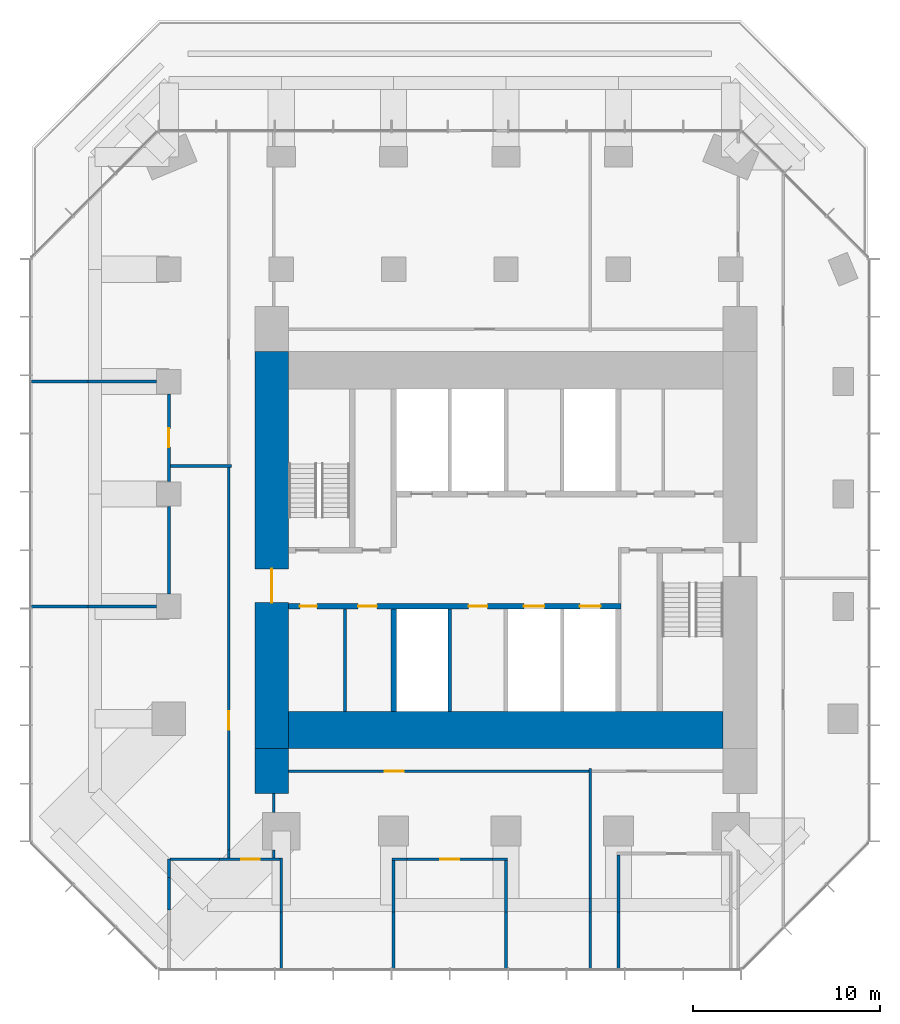
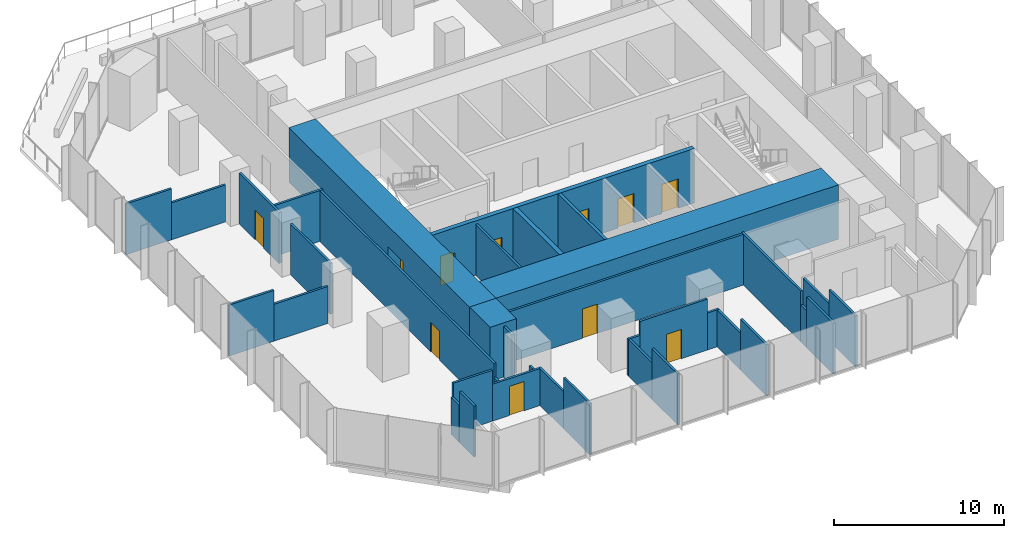
# One storey, part 8 of 11: 37 walls, 11 doors, 11 openings.
"""IFC4 building model written with IfcOpenShell, lengths in metres."""

from ifc_helpers import new_model, si_unit, direction, frame, frame_2d, origin, place, context, subcontext, project, spatial, rectangle, extrude, material, layer, layer_set, type_object, element, fill, save


model = new_model("IFC4")

# Units and contexts
model_context = context("Model", 3, precision=1e-05, world=origin(), true_north=direction((0.0, 1.0)))
body_context = subcontext(model_context, "Body", "Model", "MODEL_VIEW")
ifc_project = project(units=[si_unit("LENGTHUNIT", "METRE"), si_unit("AREAUNIT", "SQUARE_METRE"), si_unit("VOLUMEUNIT", "CUBIC_METRE"), si_unit("PLANEANGLEUNIT", "RADIAN"), si_unit("MASSUNIT", "GRAM", prefix="KILO")], contexts=[model_context])

# Site, building, storey
site_placement = place(None, origin())
site = spatial("IfcSite", under=ifc_project, at=site_placement, CompositionType="ELEMENT")
building_placement = place(site_placement, origin())
building = spatial("IfcBuilding", under=site, at=building_placement, Name="Highveld Stack Headquarters", CompositionType="ELEMENT")
storey_placement = place(building_placement, frame((0.0, 0.0, 212.300048828125)))
storey = spatial("IfcBuildingStorey", under=building, at=storey_placement, Name="L52", CompositionType="ELEMENT", Elevation=212.300048828125)

# Wall, opening, door
ifc_material_1 = material(Name="Concrete C60/75", Category="concrete")
ifc_layer_1 = layer(ifc_material_1, 1.800048828125)
ifc_layer_set_1 = layer_set([ifc_layer_1], Name="Concrete C60/75")
wall_type_1 = type_object("IfcWallType", Name="CORE WALL 1800 C60/75", PredefinedType="SHEAR", material=ifc_layer_set_1)
wall_1_placement = place(storey_placement, frame((-6.5, -7.60009765625, 0.0), z_axis=(0.0, 0.0, 1.0), x_axis=(0.0, 1.0, 0.0)))
wall_1 = element("IfcWall", 1, at=wall_1_placement, inside=storey, type_object=wall_type_1, Name="Core wall W L52", PredefinedType="SHEAR", context=body_context, shape_type="SweptSolid", body=[
    extrude(rectangle(XDim=21.2001953125, YDim=1.800048828125, at=frame_2d((10.60009765625, 0.0))), origin(), (0.0, 0.0, 1.0), 3.89990234375),
])
opening_1_placement = place(wall_1_placement, frame((7.800048828125, 0.0, 0.0)))
opening_1 = element("IfcOpeningElement", 2, at=opening_1_placement, cuts=wall_1, Name="Opening L52-02", PredefinedType="OPENING", context=body_context, shape_type="SweptSolid", body=[
    extrude(rectangle(XDim=1.800048828125, YDim=2.39990234375, at=frame_2d((0.89990234375, 1.199951171875))), frame((0.0, 0.909912109375, 0.0), z_axis=(0.0, -1.0, 0.0), x_axis=(1.0, 0.0, 0.0)), (0.0, 0.0, 1.0), 1.820068359375),
])
ifc_material_2 = material(Name="Steel fire door", Category="steel")
door_type_1 = type_object("IfcDoorType", Name="LOBBY FIRE DOOR D4 1800x2400", OperationType="DOUBLE_DOOR_SINGLE_SWING", PredefinedType="DOOR", material=ifc_material_2)
door_1_placement = place(opening_1_placement, origin())
door_1 = element("IfcDoor", 3, at=door_1_placement, inside=storey, type_object=door_type_1, Name="Core west door L52", OperationType="DOUBLE_DOOR_SINGLE_SWING", OverallHeight=2.39990234375, OverallWidth=1.800048828125, PredefinedType="DOOR", context=body_context, shape_type="SweptSolid", body=[
    extrude(rectangle(XDim=1.800048828125, YDim=2.39990234375, at=frame_2d((0.89990234375, 1.199951171875))), frame((0.0, 0.02490234375, 0.0), z_axis=(0.0, -1.0, 0.0), x_axis=(1.0, 0.0, 0.0)), (0.0, 0.0, 1.0), 0.050048828125),
])
fill(opening_1, door_1)

# Wall
ifc_material_3 = material(Name="Concrete C60/75", Category="concrete")
ifc_layer_2 = layer(ifc_material_3, 2.0)
ifc_layer_set_2 = layer_set([ifc_layer_2], Name="Concrete C60/75")
wall_type_2 = type_object("IfcWallType", Name="CORE WALL 2000 C60/75", PredefinedType="SHEAR", material=ifc_layer_set_2)
wall_2_placement = place(storey_placement, frame((-5.60009765625, -6.60009765625, 0.0), z_axis=(0.0, 0.0, 1.0), x_axis=(1.0, 0.0, 0.0)))
element("IfcWall", 4, at=wall_2_placement, inside=storey, type_object=wall_type_2, Name="Core wall S L52", PredefinedType="SHEAR", context=body_context, shape_type="SweptSolid", body=[
    extrude(rectangle(XDim=23.2001953125, YDim=2.0, at=frame_2d((11.60009765625, 0.0))), origin(), (0.0, 0.0, 1.0), 3.89990234375),
])

# Wall, openings, doors
ifc_material_4 = material(Name="Concrete C60/75", Category="concrete")
ifc_layer_3 = layer(ifc_material_4, 0.300048828125)
ifc_layer_set_3 = layer_set([ifc_layer_3], Name="Concrete C60/75")
wall_type_3 = type_object("IfcWallType", Name="CORE WALL 300 C60/75", PredefinedType="SHEAR", material=ifc_layer_set_3)
wall_3_placement = place(storey_placement, frame((-5.60009765625, 0.0, 0.0), z_axis=(0.0, 0.0, 1.0), x_axis=(1.0, 0.0, 0.0)))
wall_3 = element("IfcWall", 5, at=wall_3_placement, inside=storey, type_object=wall_type_3, Name="Core wall I-Y0 L52", PredefinedType="SHEAR", context=body_context, shape_type="SweptSolid", body=[
    extrude(rectangle(XDim=17.75, YDim=0.300048828125, at=frame_2d((8.875, 0.0))), origin(), (0.0, 0.0, 1.0), 3.89990234375),
])
opening_2_placement = place(wall_3_placement, frame((0.60009765625, 0.0, 0.0)))
opening_2 = element("IfcOpeningElement", 6, at=opening_2_placement, cuts=wall_3, Name="Opening L52-08", PredefinedType="OPENING", context=body_context, shape_type="SweptSolid", body=[
    extrude(rectangle(XDim=0.89990234375, YDim=2.10009765625, at=frame_2d((0.449951171875, 1.050048828125))), frame((0.0, 0.159912109375, 0.0), z_axis=(0.0, -1.0, 0.0), x_axis=(1.0, 0.0, 0.0)), (0.0, 0.0, 1.0), 0.320068359375),
])
opening_3_placement = place(wall_3_placement, frame((3.699951171875, 0.0, 0.0)))
opening_3 = element("IfcOpeningElement", 7, at=opening_3_placement, cuts=wall_3, Name="Opening L52-09", PredefinedType="OPENING", context=body_context, shape_type="SweptSolid", body=[
    extrude(rectangle(XDim=1.0, YDim=2.10009765625, at=frame_2d((0.5, 1.050048828125))), frame((0.0, 0.159912109375, 0.0), z_axis=(0.0, -1.0, 0.0), x_axis=(1.0, 0.0, 0.0)), (0.0, 0.0, 1.0), 0.320068359375),
])
opening_4_placement = place(wall_3_placement, frame((9.60009765625, 0.0, 0.0)))
opening_4 = element("IfcOpeningElement", 8, at=opening_4_placement, cuts=wall_3, Name="Opening L52-13", PredefinedType="OPENING", context=body_context, shape_type="SweptSolid", body=[
    extrude(rectangle(XDim=1.0, YDim=2.10009765625, at=frame_2d((0.5, 1.050048828125))), frame((0.0, 0.159912109375, 0.0), z_axis=(0.0, -1.0, 0.0), x_axis=(1.0, 0.0, 0.0)), (0.0, 0.0, 1.0), 0.320068359375),
])
opening_5_placement = place(wall_3_placement, frame((12.550048828125, 0.0, 0.0)))
opening_5 = element("IfcOpeningElement", 9, at=opening_5_placement, cuts=wall_3, Name="Opening LD", PredefinedType="OPENING", context=body_context, shape_type="SweptSolid", body=[
    extrude(rectangle(XDim=1.10009765625, YDim=2.10009765625, at=frame_2d((0.550048828125, 1.050048828125))), frame((0.0, 0.159912109375, 0.0), z_axis=(0.0, -1.0, 0.0), x_axis=(1.0, 0.0, 0.0)), (0.0, 0.0, 1.0), 0.320068359375),
])
opening_6_placement = place(wall_3_placement, frame((15.550048828125, 0.0, 0.0)))
opening_6 = element("IfcOpeningElement", 10, at=opening_6_placement, cuts=wall_3, Name="Opening LD", PredefinedType="OPENING", context=body_context, shape_type="SweptSolid", body=[
    extrude(rectangle(XDim=1.10009765625, YDim=2.10009765625, at=frame_2d((0.550048828125, 1.050048828125))), frame((0.0, 0.159912109375, 0.0), z_axis=(0.0, -1.0, 0.0), x_axis=(1.0, 0.0, 0.0)), (0.0, 0.0, 1.0), 0.320068359375),
])
ifc_material_5 = material(Name="Steel fire door", Category="steel")
door_type_2 = type_object("IfcDoorType", Name="CORE ROOM FIRE DOOR D14 1000x2100", OperationType="SINGLE_SWING_LEFT", PredefinedType="DOOR", material=ifc_material_5)
door_2_placement = place(opening_3_placement, origin())
door_2 = element("IfcDoor", 11, at=door_2_placement, inside=storey, type_object=door_type_2, Name="Cleaners store door L52", OperationType="SINGLE_SWING_LEFT", OverallHeight=2.10009765625, OverallWidth=1.0, PredefinedType="DOOR", context=body_context, shape_type="SweptSolid", body=[
    extrude(rectangle(XDim=1.0, YDim=2.10009765625, at=frame_2d((0.5, 1.050048828125))), frame((0.0, 0.02490234375, 0.0), z_axis=(0.0, -1.0, 0.0), x_axis=(1.0, 0.0, 0.0)), (0.0, 0.0, 1.0), 0.050048828125),
])
fill(opening_3, door_2)
door_3_placement = place(opening_4_placement, origin())
door_3 = element("IfcDoor", 12, at=door_3_placement, inside=storey, type_object=door_type_2, Name="Capped B 1 door L52", OperationType="SINGLE_SWING_RIGHT", OverallHeight=2.10009765625, OverallWidth=1.0, PredefinedType="DOOR", context=body_context, shape_type="SweptSolid", body=[
    extrude(rectangle(XDim=1.0, YDim=2.10009765625, at=frame_2d((0.5, 1.050048828125))), frame((0.0, 0.02490234375, 0.0), z_axis=(0.0, -1.0, 0.0), x_axis=(1.0, 0.0, 0.0)), (0.0, 0.0, 1.0), 0.050048828125),
])
fill(opening_4, door_3)
ifc_material_6 = material(Name="Stainless steel lift landing door", Category="steel")
door_type_3 = type_object("IfcDoorType", Name="LIFT LANDING DOOR LD 1100x2100", OperationType="DOUBLE_DOOR_SLIDING", PredefinedType="USERDEFINED", material=ifc_material_6)
door_4_placement = place(opening_5_placement, origin())
door_4 = element("IfcDoor", 13, at=door_4_placement, inside=storey, type_object=door_type_3, Name="Lift landing door C1 L52", ObjectType="LIFT LANDING DOOR", OperationType="DOUBLE_DOOR_SLIDING", OverallHeight=2.10009765625, OverallWidth=1.10009765625, PredefinedType="USERDEFINED", context=body_context, shape_type="SweptSolid", body=[
    extrude(rectangle(XDim=1.10009765625, YDim=2.10009765625, at=frame_2d((0.550048828125, 1.050048828125))), frame((0.0, 0.02490234375, 0.0), z_axis=(0.0, -1.0, 0.0), x_axis=(1.0, 0.0, 0.0)), (0.0, 0.0, 1.0), 0.050048828125),
])
fill(opening_5, door_4)
door_5_placement = place(opening_6_placement, origin())
door_5 = element("IfcDoor", 14, at=door_5_placement, inside=storey, type_object=door_type_3, Name="Lift landing door C2 L52", ObjectType="LIFT LANDING DOOR", OperationType="DOUBLE_DOOR_SLIDING", OverallHeight=2.10009765625, OverallWidth=1.10009765625, PredefinedType="USERDEFINED", context=body_context, shape_type="SweptSolid", body=[
    extrude(rectangle(XDim=1.10009765625, YDim=2.10009765625, at=frame_2d((0.550048828125, 1.050048828125))), frame((0.0, 0.02490234375, 0.0), z_axis=(0.0, -1.0, 0.0), x_axis=(1.0, 0.0, 0.0)), (0.0, 0.0, 1.0), 0.050048828125),
])
fill(opening_6, door_5)
ifc_material_7 = material(Name="Timber door, painted", Category="wood")
door_type_4 = type_object("IfcDoorType", Name="WC DOOR D1 900x2100", OperationType="SINGLE_SWING_LEFT", PredefinedType="DOOR", material=ifc_material_7)
door_6_placement = place(opening_2_placement, origin())
door_6 = element("IfcDoor", 15, at=door_6_placement, inside=storey, type_object=door_type_4, Name="Female WC door L52", OperationType="SINGLE_SWING_LEFT", OverallHeight=2.10009765625, OverallWidth=0.89990234375, PredefinedType="DOOR", context=body_context, shape_type="SweptSolid", body=[
    extrude(rectangle(XDim=0.89990234375, YDim=2.10009765625, at=frame_2d((0.449951171875, 1.050048828125))), frame((0.0, 0.02490234375, 0.0), z_axis=(0.0, -1.0, 0.0), x_axis=(1.0, 0.0, 0.0)), (0.0, 0.0, 1.0), 0.050048828125),
])
fill(opening_2, door_6)

# Walls
wall_4_placement = place(storey_placement, frame((0.0, -5.60009765625, 0.0), z_axis=(0.0, 0.0, 1.0), x_axis=(0.0, 1.0, 0.0)))
element("IfcWall", 16, at=wall_4_placement, inside=storey, type_object=wall_type_3, Name="Core wall I-X0S L52", PredefinedType="SHEAR", context=body_context, shape_type="SweptSolid", body=[
    extrude(rectangle(XDim=5.4501953125, YDim=0.300048828125, at=frame_2d((2.72509765625, 0.0))), origin(), (0.0, 0.0, 1.0), 3.89990234375),
])
ifc_material_8 = material(Name="Concrete C60/75", Category="concrete")
ifc_layer_4 = layer(ifc_material_8, 1.800048828125)
ifc_layer_set_4 = layer_set([ifc_layer_4], Name="Concrete C60/75")
wall_type_4 = type_object("IfcWallType", Name="CORE WING WALL 1800 C60/75", PredefinedType="SHEAR", material=ifc_layer_set_4)
wall_5_placement = place(storey_placement, frame((-6.5, -10.0, 0.0), z_axis=(0.0, 0.0, 1.0), x_axis=(0.0, 1.0, 0.0)))
element("IfcWall", 17, at=wall_5_placement, inside=storey, type_object=wall_type_4, Name="Core wing wall WS L52", PredefinedType="SHEAR", context=body_context, shape_type="SweptSolid", body=[
    extrude(rectangle(XDim=2.39990234375, YDim=1.800048828125, at=frame_2d((1.199951171875, 0.0))), origin(), (0.0, 0.0, 1.0), 3.89990234375),
])
ifc_material_9 = material(Name="Concrete blockwork, fair-faced", Category="masonry")
ifc_layer_5 = layer(ifc_material_9, 0.199951171875)
ifc_layer_set_5 = layer_set([ifc_layer_5], Name="Concrete blockwork, fair-faced")
wall_type_5 = type_object("IfcWallType", Name="LIFT SHAFT ENCLOSURE WALL 200 BLOCKWORK", PredefinedType="SOLIDWALL", material=ifc_layer_set_5)
wall_6_placement = place(storey_placement, frame((3.0, -5.60009765625, 0.0), z_axis=(0.0, 0.0, 1.0), x_axis=(0.0, 1.0, 0.0)))
element("IfcWall", 18, at=wall_6_placement, inside=storey, type_object=wall_type_5, Name="Lift shaft wall L52", PredefinedType="SOLIDWALL", context=body_context, shape_type="SweptSolid", body=[
    extrude(rectangle(XDim=5.4501953125, YDim=0.199951171875, at=frame_2d((2.72509765625, 0.0))), origin(), (0.0, 0.0, 1.0), 3.89990234375),
])
ifc_material_10 = material(Name="Gypsum plasterboard on steel studs", Category="steel")
ifc_layer_6 = layer(ifc_material_10, 0.14990234375)
ifc_layer_set_6 = layer_set([ifc_layer_6], Name="Gypsum plasterboard on steel studs")
wall_type_6 = type_object("IfcWallType", Name="PARTITION 150 PLASTERBOARD", PredefinedType="PARTITIONING", material=ifc_layer_set_6)
wall_7_placement = place(storey_placement, frame((-11.93505859375, -13.5, 0.0), z_axis=(0.0, 0.0, 1.0), x_axis=(1.0, 0.0, 0.0)))
element("IfcWall", 19, at=wall_7_placement, inside=storey, type_object=wall_type_6, Name="Partition Quiet room L52", PredefinedType="PARTITIONING", context=body_context, shape_type="SweptSolid", body=[
    extrude(rectangle(XDim=2.64306640625, YDim=0.14990234375, at=frame_2d((1.321533203125, 0.0))), origin(), (0.0, 0.0, 1.0), 3.64990234375),
])

# Wall, opening, door
wall_8_placement = place(storey_placement, frame((-9.2919921875, -13.5, 0.0), z_axis=(0.0, 0.0, 1.0), x_axis=(1.0, 0.0, 0.0)))
wall_8 = element("IfcWall", 20, at=wall_8_placement, inside=storey, type_object=wall_type_6, Name="Partition Quiet room L52", PredefinedType="PARTITIONING", context=body_context, shape_type="SweptSolid", body=[
    extrude(rectangle(XDim=3.217041015625, YDim=0.14990234375, at=frame_2d((1.6083984375, 0.0))), origin(), (0.0, 0.0, 1.0), 2.64990234375),
])
opening_7_placement = place(wall_8_placement, frame((1.14599609375, 0.0, 0.0)))
opening_7 = element("IfcOpeningElement", 21, at=opening_7_placement, cuts=wall_8, Name="Opening L52-14", PredefinedType="OPENING", context=body_context, shape_type="SweptSolid", body=[
    extrude(rectangle(XDim=1.0, YDim=2.10009765625, at=frame_2d((0.5, 1.050048828125))), frame((0.0, 0.0849609375, 0.0), z_axis=(0.0, -1.0, 0.0), x_axis=(1.0, 0.0, 0.0)), (0.0, 0.0, 1.0), 0.169921875),
])
ifc_material_11 = material(Name="Timber door, oiled ash", Category="wood")
door_type_5 = type_object("IfcDoorType", Name="ROOM DOOR D6 1000x2100", OperationType="SINGLE_SWING_LEFT", PredefinedType="DOOR", material=ifc_material_11)
door_7_placement = place(opening_7_placement, origin())
door_7 = element("IfcDoor", 22, at=door_7_placement, inside=storey, type_object=door_type_5, Name="Quiet room door 1 L52", OperationType="SINGLE_SWING_RIGHT", OverallHeight=2.10009765625, OverallWidth=1.0, PredefinedType="DOOR", context=body_context, shape_type="SweptSolid", body=[
    extrude(rectangle(XDim=1.0, YDim=2.10009765625, at=frame_2d((0.5, 1.050048828125))), frame((0.0, 0.02490234375, 0.0), z_axis=(0.0, -1.0, 0.0), x_axis=(1.0, 0.0, 0.0)), (0.0, 0.0, 1.0), 0.050048828125),
])
fill(opening_7, door_7)

# Wall
wall_9_placement = place(storey_placement, frame((-0.074951171875, -13.5, 0.0), z_axis=(0.0, 0.0, 1.0), x_axis=(1.0, 0.0, 0.0)))
element("IfcWall", 23, at=wall_9_placement, inside=storey, type_object=wall_type_6, Name="Partition Quiet room L52", PredefinedType="PARTITIONING", context=body_context, shape_type="SweptSolid", body=[
    extrude(rectangle(XDim=0.784912109375, YDim=0.14990234375, at=frame_2d((0.392578125, 0.0))), origin(), (0.0, 0.0, 1.0), 2.64990234375),
])

# Wall, opening, door
wall_10_placement = place(storey_placement, frame((0.7099609375, -13.5, 0.0), z_axis=(0.0, 0.0, 1.0), x_axis=(1.0, 0.0, 0.0)))
wall_10 = element("IfcWall", 24, at=wall_10_placement, inside=storey, type_object=wall_type_6, Name="Partition Quiet room L52", PredefinedType="PARTITIONING", context=body_context, shape_type="SweptSolid", body=[
    extrude(rectangle(XDim=4.580078125, YDim=0.14990234375, at=frame_2d((2.2900390625, 0.0))), origin(), (0.0, 0.0, 1.0), 3.64990234375),
])
opening_8_placement = place(wall_10_placement, frame((1.7900390625, 0.0, 0.0)))
opening_8 = element("IfcOpeningElement", 25, at=opening_8_placement, cuts=wall_10, Name="Opening L52-15", PredefinedType="OPENING", context=body_context, shape_type="SweptSolid", body=[
    extrude(rectangle(XDim=1.0, YDim=2.10009765625, at=frame_2d((0.5, 1.050048828125))), frame((0.0, 0.0849609375, 0.0), z_axis=(0.0, -1.0, 0.0), x_axis=(1.0, 0.0, 0.0)), (0.0, 0.0, 1.0), 0.169921875),
])
door_8_placement = place(opening_8_placement, origin())
door_8 = element("IfcDoor", 26, at=door_8_placement, inside=storey, type_object=door_type_5, Name="Quiet room door 1 L52", OperationType="SINGLE_SWING_RIGHT", OverallHeight=2.10009765625, OverallWidth=1.0, PredefinedType="DOOR", context=body_context, shape_type="SweptSolid", body=[
    extrude(rectangle(XDim=1.0, YDim=2.10009765625, at=frame_2d((0.5, 1.050048828125))), frame((0.0, 0.02490234375, 0.0), z_axis=(0.0, -1.0, 0.0), x_axis=(1.0, 0.0, 0.0)), (0.0, 0.0, 1.0), 0.050048828125),
])
fill(opening_8, door_8)

# Walls
wall_11_placement = place(storey_placement, frame((5.2900390625, -13.5, 0.0), z_axis=(0.0, 0.0, 1.0), x_axis=(1.0, 0.0, 0.0)))
element("IfcWall", 27, at=wall_11_placement, inside=storey, type_object=wall_type_6, Name="Partition Quiet room L52", PredefinedType="PARTITIONING", context=body_context, shape_type="SweptSolid", body=[
    extrude(rectangle(XDim=0.784912109375, YDim=0.14990234375, at=frame_2d((0.392578125, 0.0))), origin(), (0.0, 0.0, 1.0), 2.64990234375),
])
wall_12_placement = place(storey_placement, frame((-19.35009765625, 0.0, 0.0), z_axis=(0.0, 0.0, 1.0), x_axis=(1.0, 0.0, 0.0)))
element("IfcWall", 28, at=wall_12_placement, inside=storey, type_object=wall_type_6, Name="Partition Team office L52", PredefinedType="PARTITIONING", context=body_context, shape_type="SweptSolid", body=[
    extrude(rectangle(XDim=3.0400390625, YDim=0.14990234375, at=frame_2d((1.52001953125, 0.0))), origin(), (0.0, 0.0, 1.0), 3.64990234375),
])
wall_13_placement = place(storey_placement, frame((-16.31005859375, 0.0, 0.0), z_axis=(0.0, 0.0, 1.0), x_axis=(1.0, 0.0, 0.0)))
element("IfcWall", 29, at=wall_13_placement, inside=storey, type_object=wall_type_6, Name="Partition Team office L52", PredefinedType="PARTITIONING", context=body_context, shape_type="SweptSolid", body=[
    extrude(rectangle(XDim=3.66015625, YDim=0.14990234375, at=frame_2d((1.830078125, 0.0))), origin(), (0.0, 0.0, 1.0), 2.64990234375),
])
wall_14_placement = place(storey_placement, frame((-19.39990234375, 12.0, 0.0), z_axis=(0.0, 0.0, 1.0), x_axis=(1.0, 0.0, 0.0)))
element("IfcWall", 30, at=wall_14_placement, inside=storey, type_object=wall_type_6, Name="Partition Team office L52", PredefinedType="PARTITIONING", context=body_context, shape_type="SweptSolid", body=[
    extrude(rectangle(XDim=3.08984375, YDim=0.14990234375, at=frame_2d((1.544921875, 0.0))), origin(), (0.0, 0.0, 1.0), 3.64990234375),
])
wall_15_placement = place(storey_placement, frame((-16.31005859375, 12.0, 0.0), z_axis=(0.0, 0.0, 1.0), x_axis=(1.0, 0.0, 0.0)))
element("IfcWall", 31, at=wall_15_placement, inside=storey, type_object=wall_type_6, Name="Partition Team office L52", PredefinedType="PARTITIONING", context=body_context, shape_type="SweptSolid", body=[
    extrude(rectangle(XDim=3.66015625, YDim=0.14990234375, at=frame_2d((1.830078125, 0.0))), origin(), (0.0, 0.0, 1.0), 2.64990234375),
])
wall_16_placement = place(storey_placement, frame((-12.0, -16.2080078125, 0.0), z_axis=(0.0, 0.0, 1.0), x_axis=(0.0, 1.0, 0.0)))
element("IfcWall", 32, at=wall_16_placement, inside=storey, type_object=wall_type_6, Name="Partition Quiet room L52", PredefinedType="PARTITIONING", context=body_context, shape_type="SweptSolid", body=[
    extrude(rectangle(XDim=1.718017578125, YDim=0.14990234375, at=frame_2d((0.85888671875, 0.0))), origin(), (0.0, 0.0, 1.0), 3.64990234375),
])
wall_17_placement = place(storey_placement, frame((-12.0, -14.489990234375, 0.0), z_axis=(0.0, 0.0, 1.0), x_axis=(0.0, 1.0, 0.0)))
element("IfcWall", 33, at=wall_17_placement, inside=storey, type_object=wall_type_6, Name="Partition Quiet room L52", PredefinedType="PARTITIONING", context=body_context, shape_type="SweptSolid", body=[
    extrude(rectangle(XDim=0.989990234375, YDim=0.14990234375, at=frame_2d((0.4951171875, 0.0))), origin(), (0.0, 0.0, 1.0), 2.64990234375),
])
wall_18_placement = place(storey_placement, frame((-12.0, 0.659912109375, 0.0), z_axis=(0.0, 0.0, 1.0), x_axis=(0.0, 1.0, 0.0)))
element("IfcWall", 34, at=wall_18_placement, inside=storey, type_object=wall_type_6, Name="Partition Team office L52", PredefinedType="PARTITIONING", context=body_context, shape_type="SweptSolid", body=[
    extrude(rectangle(XDim=4.68017578125, YDim=0.14990234375, at=frame_2d((2.340087890625, 0.0))), origin(), (0.0, 0.0, 1.0), 3.64990234375),
])

# Wall, opening, door
wall_19_placement = place(storey_placement, frame((-12.0, 6.659912109375, 0.0), z_axis=(0.0, 0.0, 1.0), x_axis=(0.0, 1.0, 0.0)))
wall_19 = element("IfcWall", 35, at=wall_19_placement, inside=storey, type_object=wall_type_6, Name="Partition Team office L52", PredefinedType="PARTITIONING", context=body_context, shape_type="SweptSolid", body=[
    extrude(rectangle(XDim=4.68017578125, YDim=0.14990234375, at=frame_2d((2.340087890625, 0.0))), origin(), (0.0, 0.0, 1.0), 3.64990234375),
])
opening_9_placement = place(wall_19_placement, frame((1.840087890625, 0.0, 0.0)))
opening_9 = element("IfcOpeningElement", 36, at=opening_9_placement, cuts=wall_19, Name="Opening L52-17", PredefinedType="OPENING", context=body_context, shape_type="SweptSolid", body=[
    extrude(rectangle(XDim=1.0, YDim=2.10009765625, at=frame_2d((0.5, 1.050048828125))), frame((0.0, 0.0849609375, 0.0), z_axis=(0.0, -1.0, 0.0), x_axis=(1.0, 0.0, 0.0)), (0.0, 0.0, 1.0), 0.169921875),
])
door_9_placement = place(opening_9_placement, origin())
door_9 = element("IfcDoor", 37, at=door_9_placement, inside=storey, type_object=door_type_5, Name="Team office door 1 L52", OperationType="SINGLE_SWING_LEFT", OverallHeight=2.10009765625, OverallWidth=1.0, PredefinedType="DOOR", context=body_context, shape_type="SweptSolid", body=[
    extrude(rectangle(XDim=1.0, YDim=2.10009765625, at=frame_2d((0.5, 1.050048828125))), frame((0.0, 0.02490234375, 0.0), z_axis=(0.0, -1.0, 0.0), x_axis=(1.0, 0.0, 0.0)), (0.0, 0.0, 1.0), 0.050048828125),
])
fill(opening_9, door_9)

# Walls
wall_20_placement = place(storey_placement, frame((-6.0, -19.39990234375, 0.0), z_axis=(0.0, 0.0, 1.0), x_axis=(0.0, 1.0, 0.0)))
element("IfcWall", 38, at=wall_20_placement, inside=storey, type_object=wall_type_6, Name="Partition Quiet room L52", PredefinedType="PARTITIONING", context=body_context, shape_type="SweptSolid", body=[
    extrude(rectangle(XDim=3.08984375, YDim=0.14990234375, at=frame_2d((1.544921875, 0.0))), origin(), (0.0, 0.0, 1.0), 3.64990234375),
])
wall_21_placement = place(storey_placement, frame((-6.0, -16.31005859375, 0.0), z_axis=(0.0, 0.0, 1.0), x_axis=(0.0, 1.0, 0.0)))
element("IfcWall", 39, at=wall_21_placement, inside=storey, type_object=wall_type_6, Name="Partition Quiet room L52", PredefinedType="PARTITIONING", context=body_context, shape_type="SweptSolid", body=[
    extrude(rectangle(XDim=2.885009765625, YDim=0.14990234375, at=frame_2d((1.4423828125, 0.0))), origin(), (0.0, 0.0, 1.0), 2.64990234375),
])
wall_22_placement = place(storey_placement, frame((0.0, -19.35009765625, 0.0), z_axis=(0.0, 0.0, 1.0), x_axis=(0.0, 1.0, 0.0)))
element("IfcWall", 40, at=wall_22_placement, inside=storey, type_object=wall_type_6, Name="Partition Quiet room L52", PredefinedType="PARTITIONING", context=body_context, shape_type="SweptSolid", body=[
    extrude(rectangle(XDim=3.0400390625, YDim=0.14990234375, at=frame_2d((1.52001953125, 0.0))), origin(), (0.0, 0.0, 1.0), 3.64990234375),
])
wall_23_placement = place(storey_placement, frame((0.0, -16.31005859375, 0.0), z_axis=(0.0, 0.0, 1.0), x_axis=(0.0, 1.0, 0.0)))
element("IfcWall", 41, at=wall_23_placement, inside=storey, type_object=wall_type_6, Name="Partition Quiet room L52", PredefinedType="PARTITIONING", context=body_context, shape_type="SweptSolid", body=[
    extrude(rectangle(XDim=2.735107421875, YDim=0.14990234375, at=frame_2d((1.36767578125, 0.0))), origin(), (0.0, 0.0, 1.0), 2.64990234375),
])
wall_24_placement = place(storey_placement, frame((6.0, -19.35009765625, 0.0), z_axis=(0.0, 0.0, 1.0), x_axis=(0.0, 1.0, 0.0)))
element("IfcWall", 42, at=wall_24_placement, inside=storey, type_object=wall_type_6, Name="Partition Quiet room L52", PredefinedType="PARTITIONING", context=body_context, shape_type="SweptSolid", body=[
    extrude(rectangle(XDim=3.0400390625, YDim=0.14990234375, at=frame_2d((1.52001953125, 0.0))), origin(), (0.0, 0.0, 1.0), 3.64990234375),
])
wall_25_placement = place(storey_placement, frame((6.0, -16.31005859375, 0.0), z_axis=(0.0, 0.0, 1.0), x_axis=(0.0, 1.0, 0.0)))
element("IfcWall", 43, at=wall_25_placement, inside=storey, type_object=wall_type_6, Name="Partition Quiet room L52", PredefinedType="PARTITIONING", context=body_context, shape_type="SweptSolid", body=[
    extrude(rectangle(XDim=2.735107421875, YDim=0.14990234375, at=frame_2d((1.36767578125, 0.0))), origin(), (0.0, 0.0, 1.0), 2.64990234375),
])
wall_26_placement = place(storey_placement, frame((12.0, -19.39990234375, 0.0), z_axis=(0.0, 0.0, 1.0), x_axis=(0.0, 1.0, 0.0)))
element("IfcWall", 44, at=wall_26_placement, inside=storey, type_object=wall_type_6, Name="Partition Tea kitchen L52", PredefinedType="PARTITIONING", context=body_context, shape_type="SweptSolid", body=[
    extrude(rectangle(XDim=3.08984375, YDim=0.14990234375, at=frame_2d((1.544921875, 0.0))), origin(), (0.0, 0.0, 1.0), 3.64990234375),
])
wall_27_placement = place(storey_placement, frame((12.0, -16.31005859375, 0.0), z_axis=(0.0, 0.0, 1.0), x_axis=(0.0, 1.0, 0.0)))
element("IfcWall", 45, at=wall_27_placement, inside=storey, type_object=wall_type_6, Name="Partition Tea kitchen L52", PredefinedType="PARTITIONING", context=body_context, shape_type="SweptSolid", body=[
    extrude(rectangle(XDim=3.03515625, YDim=0.14990234375, at=frame_2d((1.517578125, 0.0))), origin(), (0.0, 0.0, 1.0), 2.64990234375),
])
wall_28_placement = place(storey_placement, frame((-11.925048828125, 7.5, 0.0), z_axis=(0.0, 0.0, 1.0), x_axis=(1.0, 0.0, 0.0)))
element("IfcWall", 46, at=wall_28_placement, inside=storey, type_object=wall_type_6, Name="Partition office neighbourhood L52", PredefinedType="PARTITIONING", context=body_context, shape_type="SweptSolid", body=[
    extrude(rectangle(XDim=3.275146484375, YDim=0.14990234375, at=frame_2d((1.6376953125, 0.0))), origin(), (0.0, 0.0, 1.0), 3.64990234375),
])
wall_29_placement = place(storey_placement, frame((-8.800048828125, -13.425048828125, 0.0), z_axis=(0.0, 0.0, 1.0), x_axis=(0.0, 1.0, 0.0)))
element("IfcWall", 47, at=wall_29_placement, inside=storey, type_object=wall_type_6, Name="Partition office neighbourhood L52", PredefinedType="PARTITIONING", context=body_context, shape_type="SweptSolid", body=[
    extrude(rectangle(XDim=0.417236328125, YDim=0.14990234375, at=frame_2d((0.20849609375, 0.0))), origin(), (0.0, 0.0, 1.0), 2.64990234375),
])

# Wall, opening, door
wall_30_placement = place(storey_placement, frame((-8.800048828125, -13.0078125, 0.0), z_axis=(0.0, 0.0, 1.0), x_axis=(0.0, 1.0, 0.0)))
wall_30 = element("IfcWall", 48, at=wall_30_placement, inside=storey, type_object=wall_type_6, Name="Partition office neighbourhood L52", PredefinedType="PARTITIONING", context=body_context, shape_type="SweptSolid", body=[
    extrude(rectangle(XDim=20.432861328125, YDim=0.14990234375, at=frame_2d((10.21630859375, 0.0))), origin(), (0.0, 0.0, 1.0), 3.64990234375),
])
opening_10_placement = place(wall_30_placement, frame((6.406982421875, 0.0, 0.0)))
opening_10 = element("IfcOpeningElement", 49, at=opening_10_placement, cuts=wall_30, Name="Opening L52-20", PredefinedType="OPENING", context=body_context, shape_type="SweptSolid", body=[
    extrude(rectangle(XDim=1.0, YDim=2.10009765625, at=frame_2d((0.5, 1.050048828125))), frame((0.0, 0.0849609375, 0.0), z_axis=(0.0, -1.0, 0.0), x_axis=(1.0, 0.0, 0.0)), (0.0, 0.0, 1.0), 0.169921875),
])
door_10_placement = place(opening_10_placement, origin())
door_10 = element("IfcDoor", 50, at=door_10_placement, inside=storey, type_object=door_type_5, Name="Office neighbourhood door L52", OperationType="SINGLE_SWING_LEFT", OverallHeight=2.10009765625, OverallWidth=1.0, PredefinedType="DOOR", context=body_context, shape_type="SweptSolid", body=[
    extrude(rectangle(XDim=1.0, YDim=2.10009765625, at=frame_2d((0.5, 1.050048828125))), frame((0.0, 0.02490234375, 0.0), z_axis=(0.0, -1.0, 0.0), x_axis=(1.0, 0.0, 0.0)), (0.0, 0.0, 1.0), 0.050048828125),
])
fill(opening_10, door_10)

# Walls
wall_31_placement = place(storey_placement, frame((-6.39990234375, -13.425048828125, 0.0), z_axis=(0.0, 0.0, 1.0), x_axis=(0.0, 1.0, 0.0)))
element("IfcWall", 51, at=wall_31_placement, inside=storey, type_object=wall_type_6, Name="Partition office neighbourhood L52", PredefinedType="PARTITIONING", context=body_context, shape_type="SweptSolid", body=[
    extrude(rectangle(XDim=0.425048828125, YDim=0.14990234375, at=frame_2d((0.21240234375, 0.0))), origin(), (0.0, 0.0, 1.0), 2.64990234375),
])
wall_32_placement = place(storey_placement, frame((-6.39990234375, -11.0, 0.0), z_axis=(0.0, 0.0, 1.0), x_axis=(0.0, 1.0, 0.0)))
element("IfcWall", 52, at=wall_32_placement, inside=storey, type_object=wall_type_6, Name="Partition office neighbourhood L52", PredefinedType="PARTITIONING", context=body_context, shape_type="SweptSolid", body=[
    extrude(rectangle(XDim=1.0, YDim=0.14990234375, at=frame_2d((0.5, 0.0))), origin(), (0.0, 0.0, 1.0), 3.64990234375),
])

# Wall, opening, door
wall_33_placement = place(storey_placement, frame((-5.60009765625, -8.800048828125, 0.0), z_axis=(0.0, 0.0, 1.0), x_axis=(1.0, 0.0, 0.0)))
wall_33 = element("IfcWall", 53, at=wall_33_placement, inside=storey, type_object=wall_type_6, Name="Partition office neighbourhood L52", PredefinedType="PARTITIONING", context=body_context, shape_type="SweptSolid", body=[
    extrude(rectangle(XDim=16.025146484375, YDim=0.14990234375, at=frame_2d((8.0126953125, 0.0))), origin(), (0.0, 0.0, 1.0), 3.64990234375),
])
opening_11_placement = place(wall_33_placement, frame((5.135009765625, 0.0, 0.0)))
opening_11 = element("IfcOpeningElement", 54, at=opening_11_placement, cuts=wall_33, Name="Opening L52-18", PredefinedType="OPENING", context=body_context, shape_type="SweptSolid", body=[
    extrude(rectangle(XDim=1.0, YDim=2.10009765625, at=frame_2d((0.5, 1.050048828125))), frame((0.0, 0.0849609375, 0.0), z_axis=(0.0, -1.0, 0.0), x_axis=(1.0, 0.0, 0.0)), (0.0, 0.0, 1.0), 0.169921875),
])
door_11_placement = place(opening_11_placement, origin())
door_11 = element("IfcDoor", 55, at=door_11_placement, inside=storey, type_object=door_type_5, Name="Office neighbourhood door L52", OperationType="SINGLE_SWING_LEFT", OverallHeight=2.10009765625, OverallWidth=1.0, PredefinedType="DOOR", context=body_context, shape_type="SweptSolid", body=[
    extrude(rectangle(XDim=1.0, YDim=2.10009765625, at=frame_2d((0.5, 1.050048828125))), frame((0.0, 0.02490234375, 0.0), z_axis=(0.0, -1.0, 0.0), x_axis=(1.0, 0.0, 0.0)), (0.0, 0.0, 1.0), 0.050048828125),
])
fill(opening_11, door_11)

# Walls
wall_34_placement = place(storey_placement, frame((10.5, -19.39990234375, 0.0), z_axis=(0.0, 0.0, 1.0), x_axis=(0.0, 1.0, 0.0)))
element("IfcWall", 56, at=wall_34_placement, inside=storey, type_object=wall_type_6, Name="Partition office neighbourhood L52", PredefinedType="PARTITIONING", context=body_context, shape_type="SweptSolid", body=[
    extrude(rectangle(XDim=3.08984375, YDim=0.14990234375, at=frame_2d((1.544921875, 0.0))), origin(), (0.0, 0.0, 1.0), 3.64990234375),
])
wall_35_placement = place(storey_placement, frame((10.5, -16.31005859375, 0.0), z_axis=(0.0, 0.0, 1.0), x_axis=(0.0, 1.0, 0.0)))
element("IfcWall", 57, at=wall_35_placement, inside=storey, type_object=wall_type_6, Name="Partition office neighbourhood L52", PredefinedType="PARTITIONING", context=body_context, shape_type="SweptSolid", body=[
    extrude(rectangle(XDim=0.719970703125, YDim=0.14990234375, at=frame_2d((0.35986328125, 0.0))), origin(), (0.0, 0.0, 1.0), 2.64990234375),
])
wall_36_placement = place(storey_placement, frame((10.5, -15.590087890625, 0.0), z_axis=(0.0, 0.0, 1.0), x_axis=(0.0, 1.0, 0.0)))
element("IfcWall", 58, at=wall_36_placement, inside=storey, type_object=wall_type_6, Name="Partition office neighbourhood L52", PredefinedType="PARTITIONING", context=body_context, shape_type="SweptSolid", body=[
    extrude(rectangle(XDim=6.940185546875, YDim=0.14990234375, at=frame_2d((3.47021484375, 0.0))), origin(), (0.0, 0.0, 1.0), 3.64990234375),
])
ifc_material_12 = material(Name="Concrete blockwork, tiled", Category="masonry")
ifc_layer_7 = layer(ifc_material_12, 0.14990234375)
ifc_layer_set_7 = layer_set([ifc_layer_7], Name="Concrete blockwork, tiled")
wall_type_7 = type_object("IfcWallType", Name="WC PARTITION 150", PredefinedType="PLUMBINGWALL", material=ifc_layer_set_7)
wall_37_placement = place(storey_placement, frame((-2.60009765625, -5.60009765625, 0.0), z_axis=(0.0, 0.0, 1.0), x_axis=(0.0, 1.0, 0.0)))
element("IfcWall", 59, at=wall_37_placement, inside=storey, type_object=wall_type_7, Name="Toilet partition L52", PredefinedType="PLUMBINGWALL", context=body_context, shape_type="SweptSolid", body=[
    extrude(rectangle(XDim=5.4501953125, YDim=0.14990234375, at=frame_2d((2.72509765625, 0.0))), origin(), (0.0, 0.0, 1.0), 3.64990234375),
])

save(model, "model.ifc")
